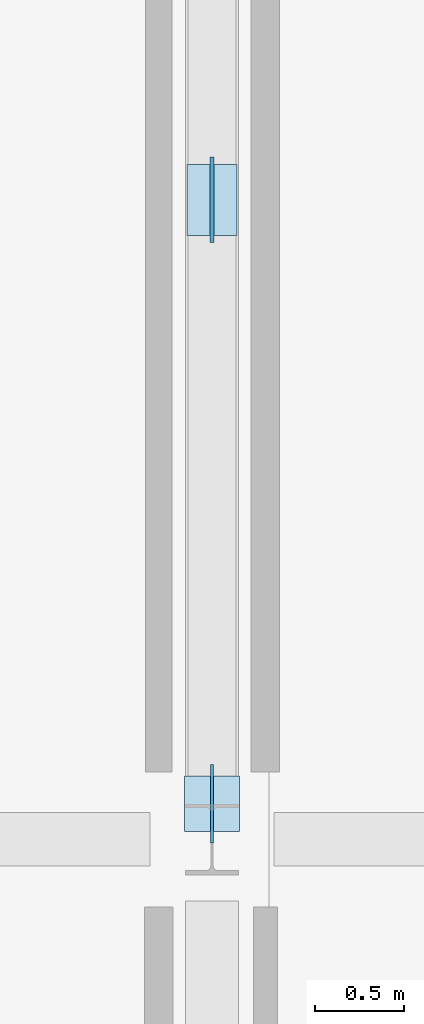
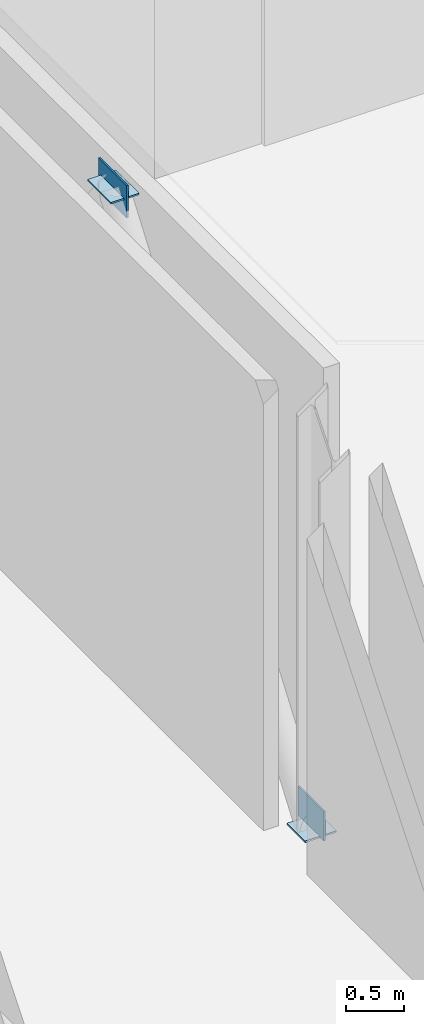
# One storey, part 52 of 89: 4 plates.
"""IFC4 building model written with IfcOpenShell, lengths in metres."""

from ifc_helpers import new_model, si_unit, direction, frame, origin, origin_2d, place, context, subcontext, project, spatial, rectangle, extrude, material, layer, layer_set, type_object, element, save


model = new_model("IFC4")

# Units and contexts
model_context = context("Model", 3, precision=1e-05, world=origin(), true_north=direction((0.0, 1.0)))
body_context = subcontext(model_context, "Body", "Model", "MODEL_VIEW")
ifc_project = project(units=[si_unit("LENGTHUNIT", "METRE"), si_unit("AREAUNIT", "SQUARE_METRE"), si_unit("VOLUMEUNIT", "CUBIC_METRE"), si_unit("PLANEANGLEUNIT", "RADIAN"), si_unit("MASSUNIT", "GRAM", prefix="KILO")], contexts=[model_context])

# Site, building, storey
site_placement = place(None, origin())
site = spatial("IfcSite", under=ifc_project, at=site_placement, CompositionType="ELEMENT")
building_placement = place(site_placement, origin())
building = spatial("IfcBuilding", under=site, at=building_placement, Name="Zarrinpeak Specialist Clinic", CompositionType="ELEMENT")
storey_placement = place(building_placement, origin())
storey = spatial("IfcBuildingStorey", under=building, at=storey_placement, Name="L00", CompositionType="ELEMENT", Elevation=0.0)

# Plates
ifc_material = material(Name="Steel S355", Category="steel")
ifc_layer_1 = layer(ifc_material, 0.01806640625)
ifc_layer_set_1 = layer_set([ifc_layer_1], Name="Steel S355")
plate_type_1 = type_object("IfcPlateType", Name="PL-CAP273", PredefinedType="SHEET", material=ifc_layer_set_1)
plate_1_placement = place(storey_placement, frame((14.39990234375, 57.800048828125, 0.0), z_axis=(0.0, 0.0, 1.0), x_axis=(1.0, 0.0, 0.0)))
element("IfcPlate", 1, at=plate_1_placement, inside=storey, type_object=plate_type_1, Name="V5 L00 Hollow Brace Foot Cap Plate A", PredefinedType="SHEET", context=body_context, shape_type="SweptSolid", body=[
    extrude(rectangle(XDim=0.31005859375, YDim=0.31005859375, at=origin_2d()), origin(), (0.0, 0.0, 1.0), 0.01806640625),
])
ifc_layer_2 = layer(ifc_material, 0.02001953125)
ifc_layer_set_2 = layer_set([ifc_layer_2], Name="Steel S355")
plate_type_2 = type_object("IfcPlateType", Name="PL-GN01", PredefinedType="SHEET", material=ifc_layer_set_2)
plate_2_placement = place(storey_placement, frame((14.39990234375, 61.199951171875, 4.47998046875), z_axis=(0.0, 0.0, 1.0), x_axis=(1.0, 0.0, 0.0)))
element("IfcPlate", 2, at=plate_2_placement, inside=storey, type_object=plate_type_2, Name="V5 L00 Chevron Gusset Node Plate GN-V5-L00", PredefinedType="SHEET", context=body_context, shape_type="SweptSolid", body=[
    extrude(rectangle(XDim=0.02001953125, YDim=0.47998046875, at=origin_2d()), origin(), (0.0, 0.0, 1.0), 0.340087890625),
])
ifc_layer_3 = layer(ifc_material, 0.01611328125)
ifc_layer_set_3 = layer_set([ifc_layer_3], Name="Steel S355")
plate_type_3 = type_object("IfcPlateType", Name="PL-GN02", PredefinedType="SHEET", material=ifc_layer_set_3)
plate_3_placement = place(storey_placement, frame((14.39990234375, 61.199951171875, 4.64794921875), z_axis=(0.0, 0.0, 1.0), x_axis=(1.0, 0.0, 0.0)))
element("IfcPlate", 3, at=plate_3_placement, inside=storey, type_object=plate_type_3, Name="V5 L00 Chevron Apex Seal Plate GNCAP-V5-L00", PredefinedType="SHEET", context=body_context, shape_type="SweptSolid", body=[
    extrude(rectangle(XDim=0.280029296875, YDim=0.39990234375, at=origin_2d()), origin(), (0.0, 0.0, 1.0), 0.01611328125),
])
ifc_layer_4 = layer(ifc_material, 0.01806640625)
ifc_layer_set_4 = layer_set([ifc_layer_4], Name="Steel S355")
plate_type_4 = type_object("IfcPlateType", Name="PL-GN03", PredefinedType="SHEET", material=ifc_layer_set_4)
plate_4_placement = place(storey_placement, frame((14.39990234375, 57.800048828125, 0.0048828125), z_axis=(0.0, 0.0, 1.0), x_axis=(1.0, 0.0, 0.0)))
element("IfcPlate", 4, at=plate_4_placement, inside=storey, type_object=plate_type_4, Name="V5 L00 Brace Foot Gusset Plate GNF-V5-L00-A", PredefinedType="SHEET", context=body_context, shape_type="SweptSolid", body=[
    extrude(rectangle(XDim=0.01806640625, YDim=0.43994140625, at=origin_2d()), origin(), (0.0, 0.0, 1.0), 0.31005859375),
])

save(model, "model.ifc")
